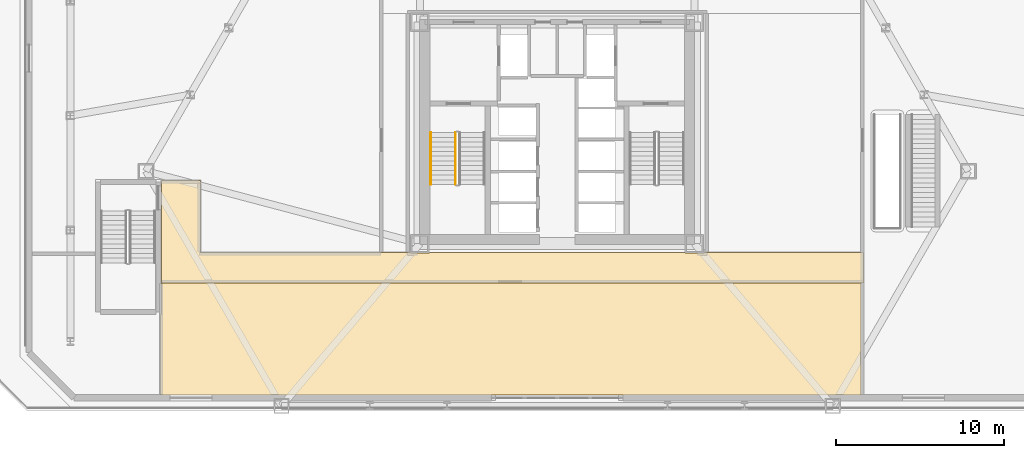
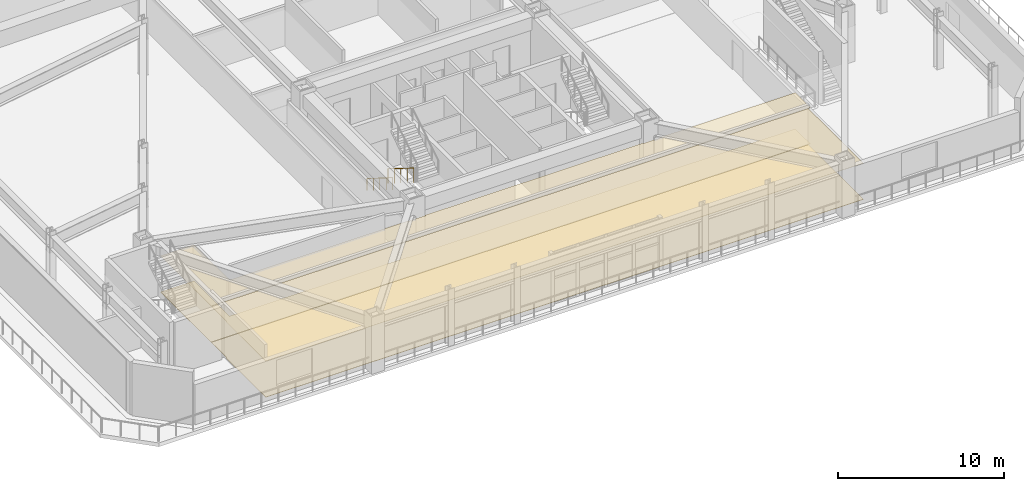
# One storey, part 15 of 22: 4 coverings, 2 railings.
"""IFC4 building model written with IfcOpenShell, lengths in metres."""

from ifc_helpers import new_model, si_unit, direction, frame, origin, origin_2d, place, context, subcontext, project, spatial, polyline, circle, outline, extrude, material, layer, layer_set, type_object, element, save


model = new_model("IFC4")

# Units and contexts
model_context = context("Model", 3, precision=1e-05, world=origin(), true_north=direction((0.0, 1.0)))
body_context = subcontext(model_context, "Body", "Model", "MODEL_VIEW")
ifc_project = project(units=[si_unit("LENGTHUNIT", "METRE"), si_unit("AREAUNIT", "SQUARE_METRE"), si_unit("VOLUMEUNIT", "CUBIC_METRE"), si_unit("PLANEANGLEUNIT", "RADIAN"), si_unit("MASSUNIT", "GRAM", prefix="KILO")], contexts=[model_context])

# Site, building, storey
site_placement = place(None, origin())
site = spatial("IfcSite", under=ifc_project, at=site_placement, CompositionType="ELEMENT")
building_placement = place(site_placement, origin())
building = spatial("IfcBuilding", under=site, at=building_placement, Name="Oramaril Tower", CompositionType="ELEMENT")
storey_placement = place(building_placement, frame((0.0, 0.0, 18.300048828125)))
storey = spatial("IfcBuildingStorey", under=building, at=storey_placement, Name="L04", CompositionType="ELEMENT", Elevation=18.300048828125)

# Coverings
ifc_material_1 = material(Name="Mineral Fibre Acoustic Ceiling")
ifc_layer_1 = layer(ifc_material_1, 0.02001953125)
ifc_layer_set_1 = layer_set([ifc_layer_1], Name="CVT-CEIL")
covering_type_1 = type_object("IfcCoveringType", Name="CVT-CEIL", PredefinedType="CEILING", material=ifc_layer_set_1)
covering_1_placement = place(storey_placement, frame((0.0, 0.0, 2.661865234375)))
element("IfcCovering", 1, at=covering_1_placement, inside=storey, type_object=covering_type_1, Name="L04 Acoustic Suspended Ceiling 1", PredefinedType="CEILING", context=body_context, shape_type="SweptSolid", body=[
    extrude(outline(polyline([(28.780029296875, 10.47998046875), (28.780029296875, 10.429931640625), (29.919921875, 10.429931640625), (29.919921875, 10.47998046875), (45.080078125, 10.47998046875), (45.080078125, 10.429931640625), (46.219970703125, 10.429931640625), (46.219970703125, 10.47998046875), (55.679931640625, 10.47998046875), (55.679931640625, 8.669921875), (14.0, 8.669921875), (14.0, 14.760009765625), (16.330078125, 14.760009765625), (16.330078125, 10.47998046875), (28.780029296875, 10.47998046875)])), origin(), (0.0, 0.0, 1.0), 0.02001953125),
])
covering_2_placement = place(storey_placement, frame((0.0, 0.0, 2.661865234375)))
element("IfcCovering", 2, at=covering_2_placement, inside=storey, type_object=covering_type_1, Name="L04 Acoustic Suspended Ceiling 7", PredefinedType="CEILING", context=body_context, shape_type="SweptSolid", body=[
    extrude(outline(polyline([(13.9580078125, 2.01806640625), (13.9580078125, 6.800048828125), (14.0, 6.800048828125), (14.0, 8.64990234375), (55.5380859375, 8.64990234375), (55.5380859375, 2.01806640625), (13.9580078125, 2.01806640625)])), origin(), (0.0, 0.0, 1.0), 0.02001953125),
])
ifc_material_2 = material(Name="Honed Quartzite Stone Flooring", Category="masonry")
ifc_layer_2 = layer(ifc_material_2, 0.02490234375)
ifc_layer_set_2 = layer_set([ifc_layer_2], Name="CVT-FLR")
covering_type_2 = type_object("IfcCoveringType", Name="CVT-FLR", PredefinedType="FLOORING", material=ifc_layer_set_2)
covering_3_placement = place(storey_placement, origin())
element("IfcCovering", 3, at=covering_3_placement, inside=storey, type_object=covering_type_2, Name="L04 Honed Stone Floor Finish 1", PredefinedType="FLOORING", context=body_context, shape_type="SweptSolid", body=[
    extrude(outline(polyline([(28.780029296875, 10.47998046875), (28.780029296875, 10.429931640625), (29.919921875, 10.429931640625), (29.919921875, 10.47998046875), (45.080078125, 10.47998046875), (45.080078125, 10.429931640625), (46.219970703125, 10.429931640625), (46.219970703125, 10.47998046875), (55.679931640625, 10.47998046875), (55.679931640625, 8.669921875), (14.0, 8.669921875), (14.0, 14.760009765625), (16.330078125, 14.760009765625), (16.330078125, 10.47998046875), (28.780029296875, 10.47998046875)])), origin(), (0.0, 0.0, 1.0), 0.02490234375),
])
covering_4_placement = place(storey_placement, origin())
element("IfcCovering", 4, at=covering_4_placement, inside=storey, type_object=covering_type_2, Name="L04 Honed Stone Floor Finish 7", PredefinedType="FLOORING", context=body_context, shape_type="SweptSolid", body=[
    extrude(outline(polyline([(13.9580078125, 2.01806640625), (13.9580078125, 6.800048828125), (14.0, 6.800048828125), (14.0, 8.64990234375), (55.5380859375, 8.64990234375), (55.5380859375, 2.01806640625), (13.9580078125, 2.01806640625)])), origin(), (0.0, 0.0, 1.0), 0.02490234375),
])

# Railings
ifc_material_3 = material(Name="Stainless Steel 316L", Category="steel")
railing_type_1 = type_object("IfcRailingType", Name="RLT-GRD", PredefinedType="GUARDRAIL", material=ifc_material_3)
railing_1_placement = place(storey_placement, frame((31.4599609375, 17.590087890625, 0.175048828125)))
element("IfcRailing", 5, at=railing_1_placement, inside=storey, type_object=railing_type_1, Name="L04 ST-1 stair guard 1", PredefinedType="GUARDRAIL", context=body_context, shape_type="SweptSolid", body=[
    extrude(circle(Radius=0.02392578125, at=origin_2d()), frame((0.0, 0.0, 1.076171875), z_axis=(0.0, -0.848028513186, 0.529950602248), x_axis=(1.0, 0.0, 0.0)), (0.0, 0.0, 1.0), 3.632080078125),
    extrude(circle(Radius=0.02099609375, at=origin_2d()), origin(), (0.0, 0.0, 1.0), 1.052001953125),
    extrude(circle(Radius=0.02099609375, at=origin_2d()), frame((0.0, -0.77001953125, 0.481201171875)), (0.0, 0.0, 1.0), 1.052001953125),
    extrude(circle(Radius=0.02099609375, at=origin_2d()), frame((0.0, -1.5400390625, 0.96240234375)), (0.0, 0.0, 1.0), 1.052001953125),
    extrude(circle(Radius=0.02099609375, at=origin_2d()), frame((0.0, -2.31005859375, 1.443603515625)), (0.0, 0.0, 1.0), 1.052001953125),
    extrude(circle(Radius=0.02099609375, at=origin_2d()), frame((0.0, -3.080078125, 1.9248046875)), (0.0, 0.0, 1.0), 1.052001953125),
])
ifc_material_4 = material(Name="Stainless Steel 316L", Category="steel")
railing_type_2 = type_object("IfcRailingType", Name="RLT-HND", PredefinedType="HANDRAIL", material=ifc_material_4)
railing_2_placement = place(storey_placement, frame((30.0, 17.590087890625, 0.175048828125)))
element("IfcRailing", 6, at=railing_2_placement, inside=storey, type_object=railing_type_2, Name="L04 ST-1 stair handrail 1", PredefinedType="HANDRAIL", context=body_context, shape_type="SweptSolid", body=[
    extrude(circle(Radius=0.02392578125, at=origin_2d()), frame((0.0, 0.0, 0.8759765625), z_axis=(0.0, -0.848028513186, 0.529950602248), x_axis=(1.0, 0.0, 0.0)), (0.0, 0.0, 1.0), 3.632080078125),
    extrude(circle(Radius=0.02099609375, at=origin_2d()), origin(), (0.0, 0.0, 1.0), 0.851806640625),
    extrude(circle(Radius=0.02099609375, at=origin_2d()), frame((0.0, -0.77001953125, 0.481201171875)), (0.0, 0.0, 1.0), 0.851806640625),
    extrude(circle(Radius=0.02099609375, at=origin_2d()), frame((0.0, -1.5400390625, 0.96240234375)), (0.0, 0.0, 1.0), 0.851806640625),
    extrude(circle(Radius=0.02099609375, at=origin_2d()), frame((0.0, -2.31005859375, 1.443603515625)), (0.0, 0.0, 1.0), 0.851806640625),
    extrude(circle(Radius=0.02099609375, at=origin_2d()), frame((0.0, -3.080078125, 1.9248046875)), (0.0, 0.0, 1.0), 0.851806640625),
])

save(model, "model.ifc")
